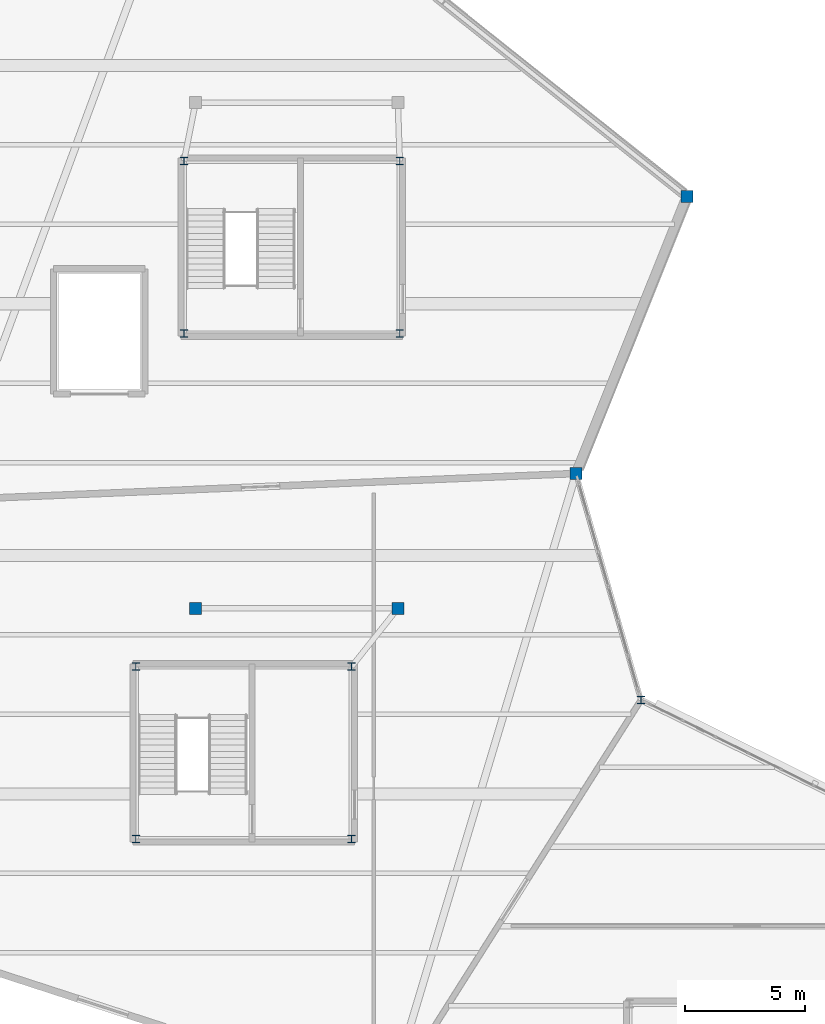
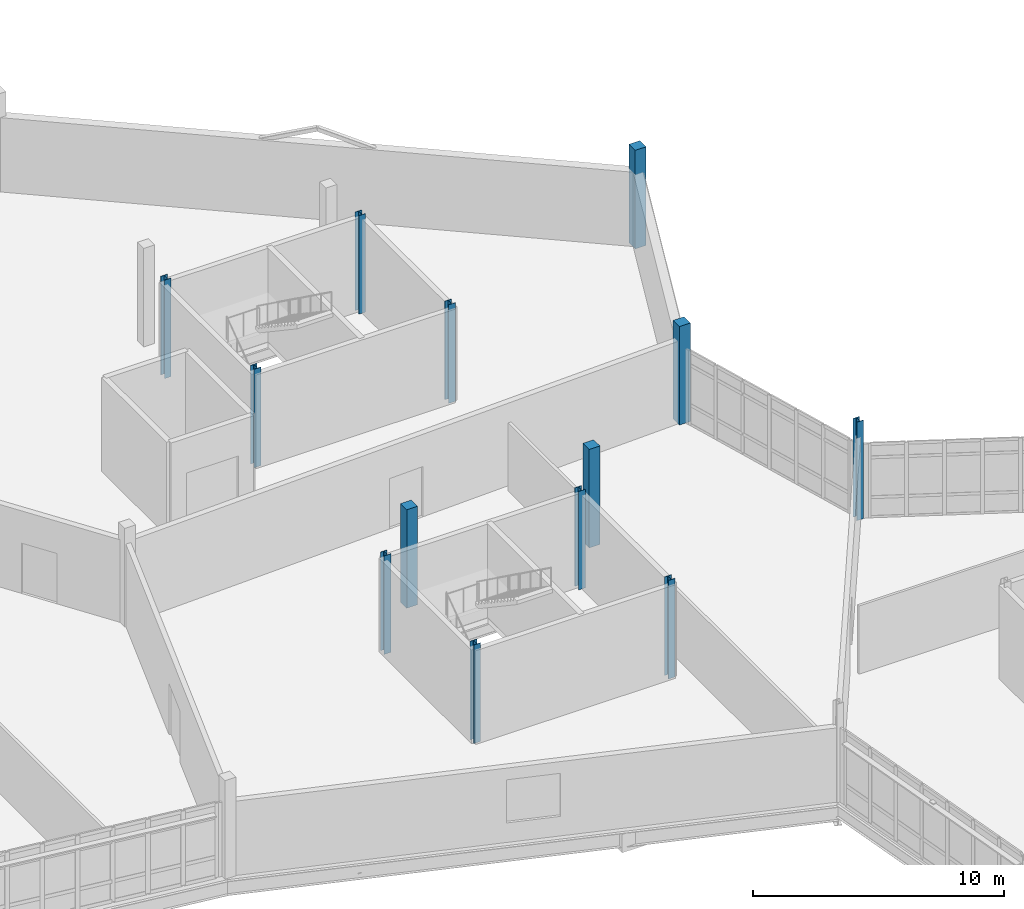
# One storey, part 14 of 134: 13 columns.
"""IFC4 building model written with IfcOpenShell, lengths in metres."""

from ifc_helpers import new_model, si_unit, direction, frame, origin, origin_2d, place, context, subcontext, project, spatial, rectangle, i_section, extrude, material, material_profile, profile_set, type_object, element, save


model = new_model("IFC4")

# Units and contexts
model_context = context("Model", 3, precision=1e-05, world=origin(), true_north=direction((0.0, 1.0)))
body_context = subcontext(model_context, "Body", "Model", "MODEL_VIEW")
ifc_project = project(units=[si_unit("LENGTHUNIT", "METRE"), si_unit("AREAUNIT", "SQUARE_METRE"), si_unit("VOLUMEUNIT", "CUBIC_METRE"), si_unit("PLANEANGLEUNIT", "RADIAN"), si_unit("MASSUNIT", "GRAM", prefix="KILO")], contexts=[model_context])

# Site, building, storey
site_placement = place(None, origin())
site = spatial("IfcSite", under=ifc_project, at=site_placement, CompositionType="ELEMENT")
building_placement = place(site_placement, origin())
building = spatial("IfcBuilding", under=site, at=building_placement, Name="Tameran Prism Museum", CompositionType="ELEMENT")
storey_placement = place(building_placement, frame((0.0, 0.0, 5.39990234375)))
storey = spatial("IfcBuildingStorey", under=building, at=storey_placement, Name="L01", CompositionType="ELEMENT", Elevation=5.39990234375)

# Columns
ifc_material_1 = material(Name="Concrete N40 (40 MPa)", Category="concrete")
ifc_material_profile_1 = material_profile(ifc_material_1, rectangle(XDim=0.5, YDim=0.5, at=origin_2d()))
ifc_profile_set_1 = profile_set([ifc_material_profile_1])
column_type_1 = type_object("IfcColumnType", Name="COL-RC500", PredefinedType="COLUMN", material=ifc_profile_set_1)
for number, where, z_axis, x_axis, name in (
    (1, (57.800048828125, 82.60009765625, 0.0), (0.0, 0.0, 1.0), (1.0, 0.0, 0.0), "Column CV-29 L01"),
    (2, (62.39990234375, 94.10009765625, 0.0), (0.0, 0.0, 1.0), (1.0, 0.0, 0.0), "Column CV-31 L01"),
    (3, (42.0, 77.0, 0.0), (0.0, 0.0, 1.0), (1.0, 0.0, 0.0), "Column CI-01 L01"),
    (4, (50.39990234375, 77.0, 0.0), (0.0, 0.0, 1.0), (1.0, 0.0, 0.0), "Column CI-02 L01"),
):
    element("IfcColumn", number, at=place(storey_placement, frame(where, z_axis=z_axis, x_axis=x_axis)), inside=storey, type_object=column_type_1, Name=name, PredefinedType="COLUMN", context=body_context, shape_type="SweptSolid", body=[
        extrude(rectangle(XDim=0.5, YDim=0.5, at=origin_2d()), origin(), (0.0, 0.0, 1.0), 4.800048828125),
    ])
ifc_material_2 = material(Name="Steel Grade 300PLUS (300 MPa)", Category="steel")
ifc_material_profile_2 = material_profile(ifc_material_2, i_section(OverallWidth=0.306884765625, OverallDepth=0.31494140625, WebThickness=0.011962890625, FlangeThickness=0.018798828125, FilletRadius=0.0166015625, at=origin_2d()))
ifc_profile_set_2 = profile_set([ifc_material_profile_2])
column_type_2 = type_object("IfcColumnType", Name="COL-UC310C", PredefinedType="COLUMN", material=ifc_profile_set_2)
for number, where, z_axis, x_axis, name in (
    (5, (60.5, 73.199951171875, 0.0), (0.0, 0.0, 1.0), (1.0, 0.0, 0.0), "Column CV-30 L01"),
    (6, (39.52001953125, 67.419921875, 0.0), (0.0, 0.0, 1.0), (1.0, 0.0, 0.0), "Column CC-5-1 L01"),
    (7, (48.47998046875, 67.419921875, 0.0), (0.0, 0.0, 1.0), (1.0, 0.0, 0.0), "Column CC-5-2 L01"),
    (8, (48.47998046875, 74.580078125, 0.0), (0.0, 0.0, 1.0), (1.0, 0.0, 0.0), "Column CC-5-3 L01"),
    (9, (39.52001953125, 74.580078125, 0.0), (0.0, 0.0, 1.0), (1.0, 0.0, 0.0), "Column CC-5-4 L01"),
    (10, (41.52001953125, 88.419921875, 0.0), (0.0, 0.0, 1.0), (1.0, 0.0, 0.0), "Column CC-14-1 L01"),
    (11, (50.47998046875, 88.419921875, 0.0), (0.0, 0.0, 1.0), (1.0, 0.0, 0.0), "Column CC-14-2 L01"),
    (12, (50.47998046875, 95.580078125, 0.0), (0.0, 0.0, 1.0), (1.0, 0.0, 0.0), "Column CC-14-3 L01"),
    (13, (41.52001953125, 95.580078125, 0.0), (0.0, 0.0, 1.0), (1.0, 0.0, 0.0), "Column CC-14-4 L01"),
):
    element("IfcColumn", number, at=place(storey_placement, frame(where, z_axis=z_axis, x_axis=x_axis)), inside=storey, type_object=column_type_2, Name=name, PredefinedType="COLUMN", context=body_context, shape_type="SweptSolid", body=[
        extrude(i_section(OverallWidth=0.306884765625, OverallDepth=0.31494140625, WebThickness=0.011962890625, FlangeThickness=0.018798828125, FilletRadius=0.0166015625, at=origin_2d()), origin(), (0.0, 0.0, 1.0), 4.800048828125),
    ])

save(model, "model.ifc")
